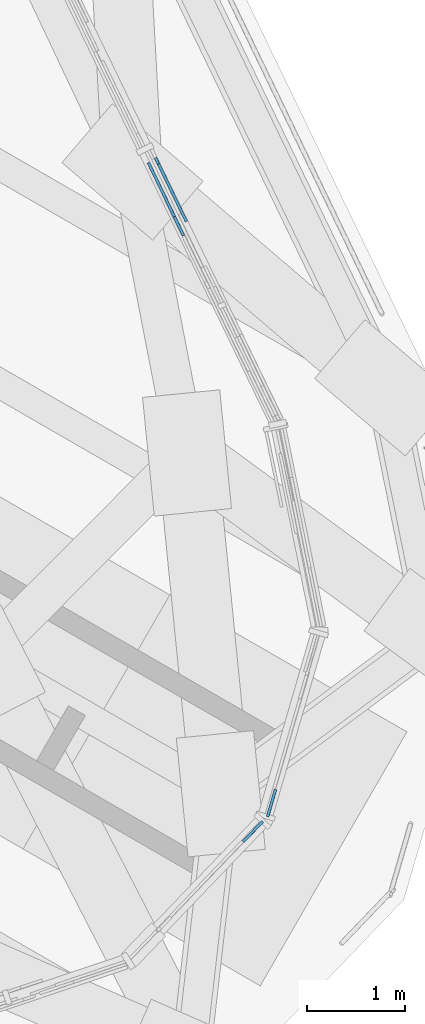
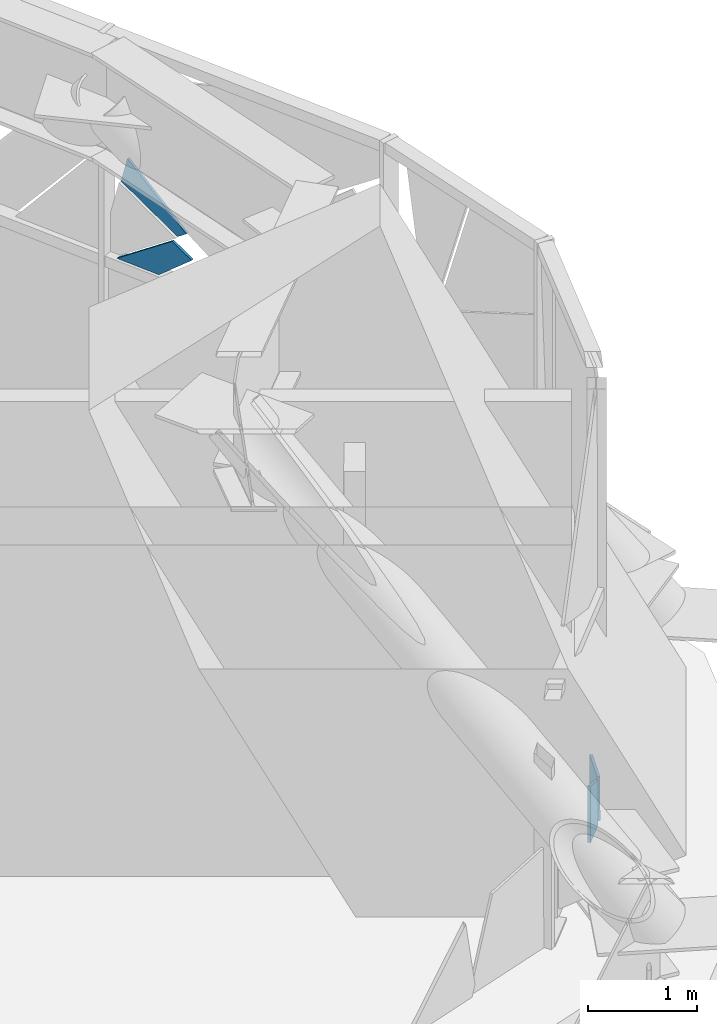
# One storey, part 25 of 43: 4 plates, 2 elements without a shape of their own.
"""IFC4 building model written with IfcOpenShell, lengths in metres."""

from ifc_helpers import new_model, si_unit, direction, frame, origin, place, context, subcontext, project, spatial, polyline, outline, extrude, material, layer, layer_set, type_object, element, aggregate, save


model = new_model("IFC4")

# Units and contexts
model_context = context("Model", 3, precision=1e-05, world=origin(), true_north=direction((0.0, 1.0)))
body_context = subcontext(model_context, "Body", "Model", "MODEL_VIEW")
ifc_project = project(units=[si_unit("LENGTHUNIT", "METRE"), si_unit("AREAUNIT", "SQUARE_METRE"), si_unit("VOLUMEUNIT", "CUBIC_METRE"), si_unit("PLANEANGLEUNIT", "RADIAN"), si_unit("MASSUNIT", "GRAM", prefix="KILO")], contexts=[model_context])

# Site, building, storey
site_placement = place(None, origin())
site = spatial("IfcSite", under=ifc_project, at=site_placement, CompositionType="ELEMENT")
building_placement = place(site_placement, origin())
building = spatial("IfcBuilding", under=site, at=building_placement, Name="Mestral Congress Tower", CompositionType="ELEMENT")
storey_placement = place(building_placement, frame((0.0, 0.0, 78.300048828125)))
storey = spatial("IfcBuildingStorey", under=building, at=storey_placement, Name="L18", CompositionType="ELEMENT", Elevation=78.300048828125)

# Curtain wall, plates
ifc_material_1 = material(Name="Clear low-emissivity double glazing", Category="glass")
curtain_wall_type = type_object("IfcCurtainWallType", Name="Facade refuge band screen", PredefinedType="USERDEFINED", material=ifc_material_1)
placement = place(storey_placement, origin())
curtain_wall_1 = element("IfcCurtainWall", 1, at=placement, inside=storey, type_object=curtain_wall_type, Name="Facade refuge band screen corner 1", ObjectType="CURTAIN WALL", PredefinedType="USERDEFINED")
ifc_material_2 = material(Name="Anodised aluminium", Category="aluminium")
ifc_layer_1 = layer(ifc_material_2, 0.028076171875)
ifc_layer_set_1 = layer_set([ifc_layer_1], Name="Anodised aluminium")
plate_type_1 = type_object("IfcPlateType", Name="Facade refuge band screen brace cover panel", PredefinedType="CURTAIN_PANEL", material=ifc_layer_set_1)
plate_1_placement = place(storey_placement, frame((31.962158203125, -18.4921875, 0.0), z_axis=(0.721519023651, -0.692392195892, 0.001829091995), x_axis=(-0.692393353648, -0.721520231057, -3.58377e-07)))
plate_1 = element("IfcPlate", 2, at=plate_1_placement, type_object=plate_type_1, Name="Facade refuge band screen brace cover panel", PredefinedType="CURTAIN_PANEL", context=body_context, shape_type="SweptSolid", body=[
    extrude(outline(polyline([(0.0, 0.0), (0.29060498092860304, 0.0), (0.2907524628522385, -0.6313488165630454), (0.00015463829974683593, -0.5048835529736304), (0.0, 0.0)])), origin(), (0.0, 0.0, -1.0), 0.028076171875),
])
plate_2_placement = place(storey_placement, frame((32.01416015625, -18.439208984375, 0.491943359375), z_axis=(0.960378011513, -0.2786954117, 0.001715371561), x_axis=(0.274003917359, 0.945300656869, 0.176998648005)))
plate_2 = element("IfcPlate", 3, at=plate_2_placement, type_object=plate_type_1, Name="Facade refuge band screen brace cover panel", PredefinedType="CURTAIN_PANEL", context=body_context, shape_type="SweptSolid", body=[
    extrude(outline(polyline([(0.0, 0.0), (0.29517862747064944, 0.0), (0.19889462566644228, -0.5356048542749935), (-0.0871034093345639, -0.48417130823379584), (0.0, 0.0)])), origin(), (0.0, 0.0, -1.0), 0.028076171875),
])
aggregate(curtain_wall_1, [plate_1, plate_2])

curtain_wall_2 = element("IfcCurtainWall", 4, at=placement, inside=storey, type_object=curtain_wall_type, Name="Facade refuge band screen face 2", ObjectType="CURTAIN WALL", PredefinedType="USERDEFINED")
ifc_layer_2 = layer(ifc_material_1, 0.028076171875)
ifc_layer_set_2 = layer_set([ifc_layer_2], Name="Clear low-emissivity double glazing")
plate_type_2 = type_object("IfcPlateType", Name="Facade refuge band screen panel", PredefinedType="CURTAIN_PANEL", material=ifc_layer_set_2)
plate_3_placement = place(storey_placement, frame((31.140869140625, -12.2529296875, 3.091552734375), z_axis=(0.900483875684, 0.434885602604, 0.001817217873), x_axis=(0.354651253945, -0.736754406937, 0.575686921802)))
plate_3 = element("IfcPlate", 5, at=plate_3_placement, type_object=plate_type_2, Name="Refuge screen glass unit", PredefinedType="CURTAIN_PANEL", context=body_context, shape_type="SweptSolid", body=[
    extrude(outline(polyline([(0.0, 0.0), (0.11831982181100499, 6.938893903907228e-18), (-0.07759244799644532, -0.8548282087259563), (-0.29741665273942125, -0.6674229762761934), (0.0, 0.0)])), origin(), (0.0, 0.0, -1.0), 0.028076171875),
])
plate_4_placement = place(storey_placement, frame((30.99658203125, -12.15869140625, 2.659912109375), z_axis=(0.900616106171, 0.434609497099, 0.002283492035), x_axis=(0.332608097965, -0.692607423824, 0.640052192897)))
plate_4 = element("IfcPlate", 6, at=plate_4_placement, type_object=plate_type_2, Name="Refuge screen glass unit", PredefinedType="CURTAIN_PANEL", context=body_context, shape_type="SweptSolid", body=[
    extrude(outline(polyline([(0.0, 0.0), (0.4729842522102746, 0.0), (0.3896292548394884, -0.2372132171310316), (-0.35807052804301126, -0.29828933448304484), (0.0, 0.0)])), origin(), (0.0, 0.0, -1.0), 0.028076171875),
])
aggregate(curtain_wall_2, [plate_3, plate_4])

save(model, "model.ifc")
